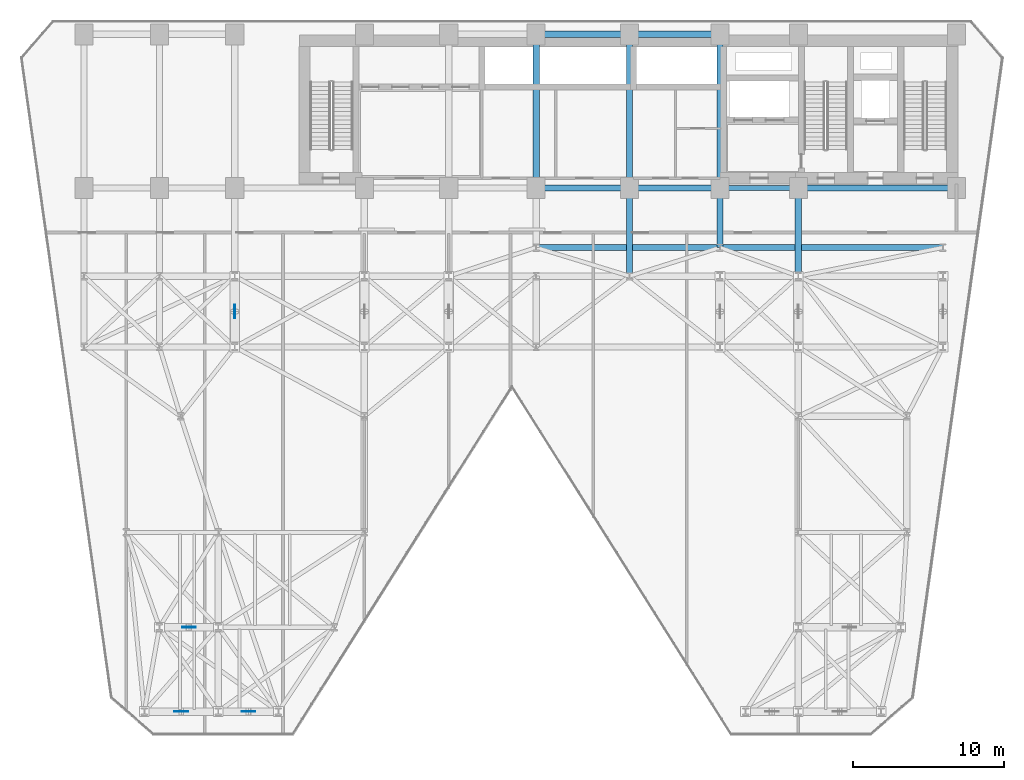
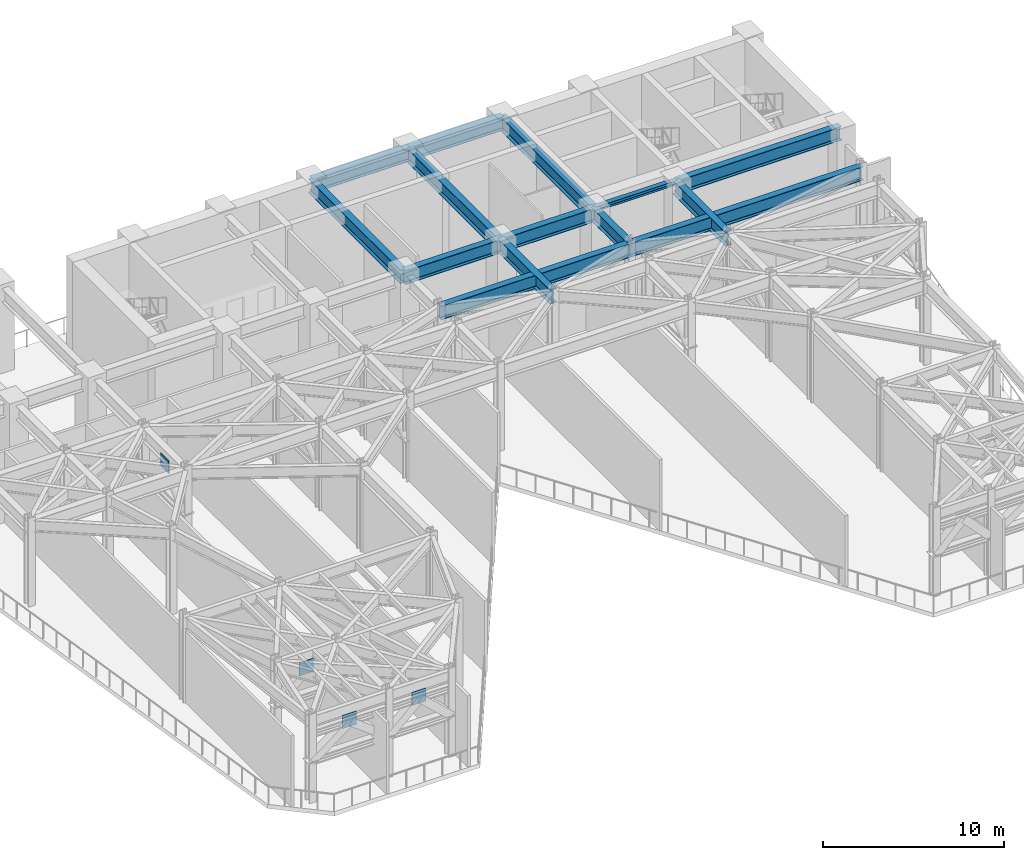
# One storey, part 4 of 12: 14 beams, 4 plates.
"""IFC4 building model written with IfcOpenShell, lengths in metres."""

from ifc_helpers import new_model, si_unit, direction, frame, origin, origin_2d, place, context, subcontext, project, spatial, rectangle, i_section, extrude, material, layer, layer_set, material_profile, profile_set, type_object, element, save


model = new_model("IFC4")

# Units and contexts
model_context = context("Model", 3, precision=1e-05, world=origin(), true_north=direction((0.0, 1.0)))
body_context = subcontext(model_context, "Body", "Model", "MODEL_VIEW")
ifc_project = project(units=[si_unit("LENGTHUNIT", "METRE"), si_unit("AREAUNIT", "SQUARE_METRE"), si_unit("VOLUMEUNIT", "CUBIC_METRE"), si_unit("PLANEANGLEUNIT", "RADIAN"), si_unit("MASSUNIT", "GRAM", prefix="KILO")], contexts=[model_context])

# Site, building, storey
site_placement = place(None, origin())
site = spatial("IfcSite", under=ifc_project, at=site_placement, CompositionType="ELEMENT")
building_placement = place(site_placement, origin())
building = spatial("IfcBuilding", under=site, at=building_placement, Name="Kravanh Interchange Tower", CompositionType="ELEMENT")
storey_placement = place(building_placement, frame((0.0, 0.0, 85.5)))
storey = spatial("IfcBuildingStorey", under=building, at=storey_placement, Name="L20", CompositionType="ELEMENT", Elevation=85.5)

# Beams
ifc_material_1 = material(Name="Structural Steel S355", Category="steel")
ifc_material_profile_1 = material_profile(ifc_material_1, i_section(OverallWidth=0.41796875, OverallDepth=0.927001953125, WebThickness=0.019287109375, FlangeThickness=0.031982421875, FilletRadius=0.028076171875, at=origin_2d()), Name="W36X231")
ifc_profile_set_1 = profile_set([ifc_material_profile_1], Name="Structural Steel S355")
beam_type_1 = type_object("IfcBeamType", Name="Floor Beam W36X231 Structural Steel S355", PredefinedType="BEAM", material=ifc_profile_set_1)
beam_1_placement = place(storey_placement, frame((66.5, 37.35009765625, 5.281494140625), z_axis=(-1.0, 0.0, 0.0), x_axis=(0.0, -1.0, 0.0)))
element("IfcBeam", 1, at=beam_1_placement, inside=storey, type_object=beam_type_1, Name="L20 Primary Floor Girder 5", PredefinedType="BEAM", context=body_context, shape_type="SweptSolid", body=[
    extrude(i_section(OverallWidth=0.41796875, OverallDepth=0.927001953125, WebThickness=0.019287109375, FlangeThickness=0.031982421875, FilletRadius=0.028076171875, at=origin_2d()), origin(), (0.0, 0.0, 1.0), 10.5),
])
beam_2_placement = place(storey_placement, frame((56.0, 37.35009765625, 5.281494140625), z_axis=(0.0, -1.0, 0.0), x_axis=(1.0, 0.0, 0.0)))
element("IfcBeam", 2, at=beam_2_placement, inside=storey, type_object=beam_type_1, Name="L20 Primary Floor Girder 7", PredefinedType="BEAM", context=body_context, shape_type="SweptSolid", body=[
    extrude(i_section(OverallWidth=0.41796875, OverallDepth=0.927001953125, WebThickness=0.019287109375, FlangeThickness=0.031982421875, FilletRadius=0.028076171875, at=origin_2d()), origin(), (0.0, 0.0, 1.0), 5.85009765625),
])
beam_3_placement = place(storey_placement, frame((50.800048828125, 47.550048828125, 5.281494140625), z_axis=(-1.0, 0.0, 0.0), x_axis=(0.0, -1.0, 0.0)))
element("IfcBeam", 3, at=beam_3_placement, inside=storey, type_object=beam_type_1, Name="L20 Primary Floor Girder 8", PredefinedType="BEAM", context=body_context, shape_type="SweptSolid", body=[
    extrude(i_section(OverallWidth=0.41796875, OverallDepth=0.927001953125, WebThickness=0.019287109375, FlangeThickness=0.031982421875, FilletRadius=0.028076171875, at=origin_2d()), origin(), (0.0, 0.0, 1.0), 6.0),
])
beam_4_placement = place(storey_placement, frame((50.800048828125, 47.550048828125, 5.281494140625), z_axis=(0.0, -1.0, 0.0), x_axis=(1.0, 0.0, 0.0)))
element("IfcBeam", 4, at=beam_4_placement, inside=storey, type_object=beam_type_1, Name="L20 Primary Floor Girder 9", PredefinedType="BEAM", context=body_context, shape_type="SweptSolid", body=[
    extrude(i_section(OverallWidth=0.41796875, OverallDepth=0.927001953125, WebThickness=0.019287109375, FlangeThickness=0.031982421875, FilletRadius=0.028076171875, at=origin_2d()), origin(), (0.0, 0.0, 1.0), 10.199951171875),
])
beam_5_placement = place(storey_placement, frame((50.800048828125, 37.35009765625, 5.281494140625), z_axis=(0.0, -1.0, 0.0), x_axis=(1.0, 0.0, 0.0)))
element("IfcBeam", 5, at=beam_5_placement, inside=storey, type_object=beam_type_1, Name="L20 Primary Floor Girder 10", PredefinedType="BEAM", context=body_context, shape_type="SweptSolid", body=[
    extrude(i_section(OverallWidth=0.41796875, OverallDepth=0.927001953125, WebThickness=0.019287109375, FlangeThickness=0.031982421875, FilletRadius=0.028076171875, at=origin_2d()), origin(), (0.0, 0.0, 1.0), 3.9501953125),
])
beam_6_placement = place(storey_placement, frame((50.800048828125, 37.35009765625, 5.281494140625), z_axis=(-1.0, 0.0, 0.0), x_axis=(0.0, -1.0, 0.0)))
element("IfcBeam", 6, at=beam_6_placement, inside=storey, type_object=beam_type_1, Name="L20 Primary Floor Girder 11", PredefinedType="BEAM", context=body_context, shape_type="SweptSolid", body=[
    extrude(i_section(OverallWidth=0.41796875, OverallDepth=0.927001953125, WebThickness=0.019287109375, FlangeThickness=0.031982421875, FilletRadius=0.028076171875, at=origin_2d()), origin(), (0.0, 0.0, 1.0), 6.0),
])
beam_7_placement = place(storey_placement, frame((44.800048828125, 37.35009765625, 5.281494140625), z_axis=(0.0, -1.0, 0.0), x_axis=(1.0, 0.0, 0.0)))
element("IfcBeam", 7, at=beam_7_placement, inside=storey, type_object=beam_type_1, Name="L20 Primary Floor Girder 12", PredefinedType="BEAM", context=body_context, shape_type="SweptSolid", body=[
    extrude(i_section(OverallWidth=0.41796875, OverallDepth=0.927001953125, WebThickness=0.019287109375, FlangeThickness=0.031982421875, FilletRadius=0.028076171875, at=origin_2d()), origin(), (0.0, 0.0, 1.0), 5.85009765625),
])
beam_8_placement = place(storey_placement, frame((44.800048828125, 37.35009765625, 5.281494140625), z_axis=(-1.0, 0.0, 0.0), x_axis=(0.0, -1.0, 0.0)))
element("IfcBeam", 8, at=beam_8_placement, inside=storey, type_object=beam_type_1, Name="L20 Primary Floor Girder 13", PredefinedType="BEAM", context=body_context, shape_type="SweptSolid", body=[
    extrude(i_section(OverallWidth=0.41796875, OverallDepth=0.927001953125, WebThickness=0.019287109375, FlangeThickness=0.031982421875, FilletRadius=0.028076171875, at=origin_2d()), origin(), (0.0, 0.0, 1.0), 6.199951171875),
])
beam_9_placement = place(storey_placement, frame((44.800048828125, 37.35009765625, 5.281494140625), z_axis=(0.0, 1.0, 0.0), x_axis=(-1.0, 0.0, 0.0)))
element("IfcBeam", 9, at=beam_9_placement, inside=storey, type_object=beam_type_1, Name="L20 Primary Floor Girder 14", PredefinedType="BEAM", context=body_context, shape_type="SweptSolid", body=[
    extrude(i_section(OverallWidth=0.41796875, OverallDepth=0.927001953125, WebThickness=0.019287109375, FlangeThickness=0.031982421875, FilletRadius=0.028076171875, at=origin_2d()), origin(), (0.0, 0.0, 1.0), 10.199951171875),
])
beam_10_placement = place(storey_placement, frame((44.800048828125, 47.550048828125, 5.281494140625), z_axis=(-1.0, 0.0, 0.0), x_axis=(0.0, -1.0, 0.0)))
element("IfcBeam", 10, at=beam_10_placement, inside=storey, type_object=beam_type_1, Name="L20 Primary Floor Girder 15", PredefinedType="BEAM", context=body_context, shape_type="SweptSolid", body=[
    extrude(i_section(OverallWidth=0.41796875, OverallDepth=0.927001953125, WebThickness=0.019287109375, FlangeThickness=0.031982421875, FilletRadius=0.028076171875, at=origin_2d()), origin(), (0.0, 0.0, 1.0), 6.199951171875),
])
beam_11_placement = place(storey_placement, frame((38.60009765625, 37.35009765625, 5.281494140625), z_axis=(0.0, 1.0, 0.0), x_axis=(-1.0, 0.0, 0.0)))
element("IfcBeam", 11, at=beam_11_placement, inside=storey, type_object=beam_type_1, Name="L20 Primary Floor Girder 18", PredefinedType="BEAM", context=body_context, shape_type="SweptSolid", body=[
    extrude(i_section(OverallWidth=0.41796875, OverallDepth=0.927001953125, WebThickness=0.019287109375, FlangeThickness=0.031982421875, FilletRadius=0.028076171875, at=origin_2d()), origin(), (0.0, 0.0, 1.0), 10.199951171875),
])
beam_12_placement = place(storey_placement, frame((38.60009765625, 33.39990234375, 5.281494140625), z_axis=(1.0, 0.0, 0.0), x_axis=(0.0, 1.0, 0.0)))
element("IfcBeam", 12, at=beam_12_placement, inside=storey, type_object=beam_type_1, Name="L20 Primary Floor Girder 145", PredefinedType="BEAM", context=body_context, shape_type="SweptSolid", body=[
    extrude(i_section(OverallWidth=0.41796875, OverallDepth=0.927001953125, WebThickness=0.019287109375, FlangeThickness=0.031982421875, FilletRadius=0.028076171875, at=origin_2d()), origin(), (0.0, 0.0, 1.0), 12.199951171875),
])
beam_13_placement = place(storey_placement, frame((50.800048828125, 33.39990234375, 5.281494140625), z_axis=(1.0, 0.0, 0.0), x_axis=(0.0, 1.0, 0.0)))
element("IfcBeam", 13, at=beam_13_placement, inside=storey, type_object=beam_type_1, Name="L20 Primary Floor Girder 146", PredefinedType="BEAM", context=body_context, shape_type="SweptSolid", body=[
    extrude(i_section(OverallWidth=0.41796875, OverallDepth=0.927001953125, WebThickness=0.019287109375, FlangeThickness=0.031982421875, FilletRadius=0.028076171875, at=origin_2d()), origin(), (0.0, 0.0, 1.0), 14.800048828125),
])
ifc_material_2 = material(Name="Structural Steel S355", Category="steel")
ifc_material_profile_2 = material_profile(ifc_material_2, i_section(OverallWidth=0.304931640625, OverallDepth=0.306884765625, WebThickness=0.010009765625, FlangeThickness=0.015380859375, FilletRadius=0.014892578125, at=origin_2d()), Name="W12X65")
ifc_profile_set_2 = profile_set([ifc_material_profile_2], Name="Structural Steel S355")
beam_type_2 = type_object("IfcBeamType", Name="Floor Lintel W12X65 Structural Steel S355", PredefinedType="LINTEL", material=ifc_profile_set_2)
beam_14_placement = place(storey_placement, frame((50.800048828125, 37.35009765625, 5.591552734375), z_axis=(1.0, 0.0, 0.0), x_axis=(0.0, 1.0, 0.0)))
element("IfcBeam", 14, at=beam_14_placement, inside=storey, type_object=beam_type_2, Name="L20 Core Coupling Lintel 1", PredefinedType="LINTEL", context=body_context, shape_type="SweptSolid", body=[
    extrude(i_section(OverallWidth=0.304931640625, OverallDepth=0.306884765625, WebThickness=0.010009765625, FlangeThickness=0.015380859375, FilletRadius=0.014892578125, at=origin_2d()), origin(), (0.0, 0.0, 1.0), 5.199951171875),
])

# Plates
ifc_material_3 = material(Name="Structural Steel S450", Category="steel")
ifc_layer = layer(ifc_material_3, 0.0400390625)
ifc_layer_set = layer_set([ifc_layer], Name="Outrigger Gusset Plate Structural Steel S450 40mm")
plate_type = type_object("IfcPlateType", Name="Outrigger Gusset Plate Structural Steel S450 40mm", PredefinedType="USERDEFINED", material=ifc_layer_set)
for number, where, z_axis, x_axis, name in (
    (15, (18.60009765625, 29.14990234375, 4.14794921875), (0.0, 0.0, 1.0), (0.0, -1.0, 0.0), "L20 Outrigger Node Gusset Plate 1"),
    (16, (15.050048828125, 2.60009765625, 4.14794921875), (0.0, 0.0, 1.0), (1.0, 0.0, 0.0), "L20 Belt Truss Node Gusset Plate 1"),
    (17, (19.5, 2.60009765625, 4.14794921875), (0.0, 0.0, 1.0), (1.0, 0.0, 0.0), "L20 Belt Truss Node Gusset Plate 2"),
    (18, (15.550048828125, 8.199951171875, 4.14794921875), (0.0, 0.0, 1.0), (1.0, 0.0, 0.0), "L20 Belt Truss Node Gusset Plate 5"),
):
    element("IfcPlate", number, at=place(storey_placement, frame(where, z_axis=z_axis, x_axis=x_axis)), inside=storey, type_object=plate_type, Name=name, ObjectType="GUSSET PLATE", PredefinedType="USERDEFINED", context=body_context, shape_type="SweptSolid", body=[
        extrude(rectangle(XDim=0.89990234375, YDim=0.0400390625, at=origin_2d()), origin(), (0.0, 0.0, 1.0), 0.89990234375),
    ])

save(model, "model.ifc")
